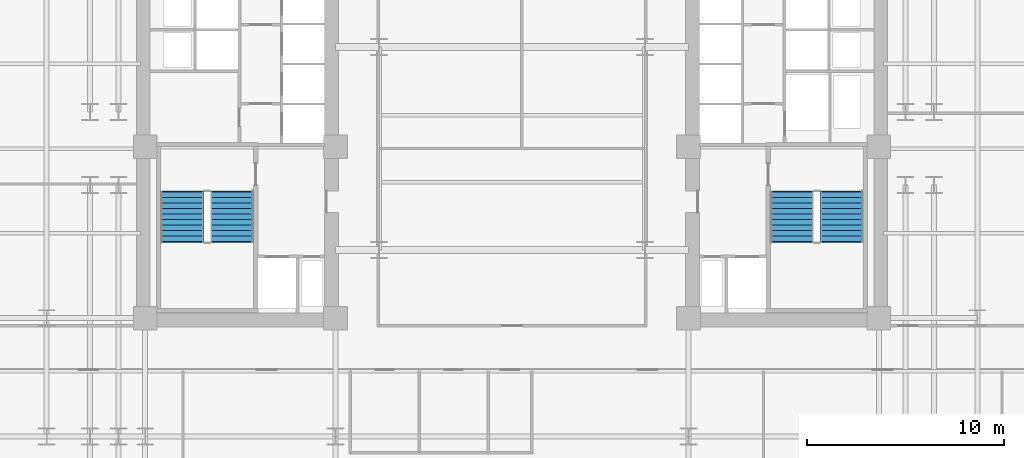
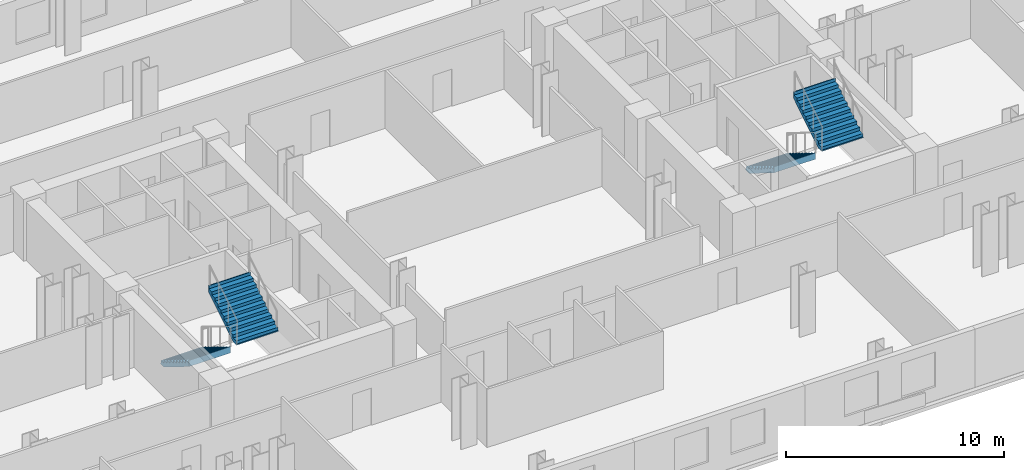
# One storey, part 8 of 10: 4 stair flights, 2 elements without a shape of their own.
"""IFC4 building model written with IfcOpenShell, lengths in metres."""

from ifc_helpers import new_model, si_unit, direction, frame, origin, place, context, subcontext, project, spatial, polyline, outline, extrude, material, layer, layer_set, type_object, element, aggregate, save


model = new_model("IFC4")

# Units and contexts
model_context = context("Model", 3, precision=1e-05, world=origin(), true_north=direction((0.0, 1.0)))
body_context = subcontext(model_context, "Body", "Model", "MODEL_VIEW")
ifc_project = project(units=[si_unit("LENGTHUNIT", "METRE"), si_unit("AREAUNIT", "SQUARE_METRE"), si_unit("VOLUMEUNIT", "CUBIC_METRE"), si_unit("PLANEANGLEUNIT", "RADIAN"), si_unit("MASSUNIT", "GRAM", prefix="KILO")], contexts=[model_context])

# Site, building, storey
site_placement = place(None, origin())
site = spatial("IfcSite", under=ifc_project, at=site_placement, CompositionType="ELEMENT")
building_placement = place(site_placement, origin())
building = spatial("IfcBuilding", under=site, at=building_placement, Name="Velakula Bourse", CompositionType="ELEMENT")
storey_placement = place(building_placement, frame((0.0, 0.0, 51.89990234375)))
storey = spatial("IfcBuildingStorey", under=building, at=storey_placement, Name="L13", CompositionType="ELEMENT", Elevation=51.89990234375)

# Stair, stair flights
ifc_material = material(Name="Concrete M45 (fck 45 MPa)", Category="concrete")
stair_type = type_object("IfcStairType", Name="STR-DOG-390", PredefinedType="HALF_TURN_STAIR", material=ifc_material)
stair_1_placement = place(storey_placement, origin())
stair_1 = element("IfcStair", 1, at=stair_1_placement, inside=storey, type_object=stair_type, Name="L13 West Core Exit Stair ST-W1", PredefinedType="HALF_TURN_STAIR")
ifc_layer = layer(ifc_material, 0.195068359375, Name="Concrete M45 (fck 45 MPa)", Category="concrete")
ifc_layer_set = layer_set([ifc_layer], Name="Concrete M45 (fck 45 MPa)")
stair_flight_type = type_object("IfcStairFlightType", Name="FLT-DOG-390", PredefinedType="STRAIGHT", material=ifc_layer_set)
stair_flight_1_placement = place(storey_placement, frame((-16.720947265625, -2.199951171875, 0.0), z_axis=(0.0, 0.0, 1.0), x_axis=(0.0, -1.0, 0.0)))
stair_flight_1 = element("IfcStairFlight", 2, at=stair_flight_1_placement, type_object=stair_flight_type, Name="ST-W1 flight 1", NumberOfRisers=10, NumberOfTreads=9, PredefinedType="STRAIGHT", RiserHeight=0.1725, TreadLength=0.28, context=body_context, shape_type="SweptSolid", body=[
    extrude(outline(polyline([(-0.044921875, -0.0400390625), (-0.044921875, -0.036865234375), (-0.044921875, -0.033935546875), (-0.044921875, -0.03076171875), (-0.044921875, -0.027587890625), (-0.044921875, -0.024658203125), (-0.044921875, -0.021484375), (-0.044921875, -0.0185546875), (-0.044921875, -0.015380859375), (-0.044921875, -0.01220703125), (-0.044921875, -0.00927734375), (-0.044921875, -0.006103515625), (-0.044921875, -0.003173828125), (-0.044921875, 0.0), (0.0, 0.0), (0.0, 0.172607421875), (0.280029296875, 0.172607421875), (0.280029296875, 0.344970703125), (0.56005859375, 0.344970703125), (0.56005859375, 0.517578125), (0.840087890625, 0.517578125), (0.840087890625, 0.68994140625), (1.1201171875, 0.68994140625), (1.1201171875, 0.862548828125), (1.39990234375, 0.862548828125), (1.39990234375, 1.034912109375), (1.679931640625, 1.034912109375), (1.679931640625, 1.20751953125), (1.9599609375, 1.20751953125), (1.9599609375, 1.3798828125), (2.239990234375, 1.3798828125), (2.239990234375, 1.552490234375), (2.52001953125, 1.552490234375), (2.52001953125, 1.72509765625), (2.56494140625, 1.72509765625), (2.56494140625, 1.7001953125), (2.56494140625, 1.67529296875), (2.56494140625, 1.650390625), (2.56494140625, 1.62548828125), (2.56494140625, 1.6005859375), (2.56494140625, 1.57568359375), (2.56494140625, 1.55078125), (2.56494140625, 1.52587890625), (2.56494140625, 1.5009765625), (2.56494140625, 1.47607421875), (2.56494140625, 1.451171875), (2.56494140625, 1.42626953125), (2.56494140625, 1.4013671875), (2.56494140625, 1.37646484375), (0.285888671875, -0.0400390625), (-0.044921875, -0.0400390625)])), frame((0.0, 1.09912109375, 0.0), z_axis=(0.0, -1.0, 0.0), x_axis=(1.0, 0.0, 0.0)), (0.0, 0.0, 1.0), 2.197998046875),
])
stair_flight_2_placement = place(storey_placement, frame((-14.198974609375, -4.719970703125, 1.72509765625), z_axis=(0.0, 0.0, 1.0), x_axis=(0.0, 1.0, 0.0)))
stair_flight_2 = element("IfcStairFlight", 3, at=stair_flight_2_placement, type_object=stair_flight_type, Name="ST-W1 flight 2", NumberOfRisers=10, NumberOfTreads=9, PredefinedType="STRAIGHT", RiserHeight=0.1725, TreadLength=0.28, context=body_context, shape_type="SweptSolid", body=[
    extrude(outline(polyline([(-0.044921875, -0.0400390625), (-0.044921875, -0.036865234375), (-0.044921875, -0.033935546875), (-0.044921875, -0.03076171875), (-0.044921875, -0.027587890625), (-0.044921875, -0.024658203125), (-0.044921875, -0.021484375), (-0.044921875, -0.0185546875), (-0.044921875, -0.015380859375), (-0.044921875, -0.01220703125), (-0.044921875, -0.00927734375), (-0.044921875, -0.006103515625), (-0.044921875, -0.003173828125), (-0.044921875, 0.0), (0.0, 0.0), (0.0, 0.172607421875), (0.280029296875, 0.172607421875), (0.280029296875, 0.344970703125), (0.56005859375, 0.344970703125), (0.56005859375, 0.517578125), (0.840087890625, 0.517578125), (0.840087890625, 0.68994140625), (1.1201171875, 0.68994140625), (1.1201171875, 0.862548828125), (1.39990234375, 0.862548828125), (1.39990234375, 1.034912109375), (1.679931640625, 1.034912109375), (1.679931640625, 1.20751953125), (1.9599609375, 1.20751953125), (1.9599609375, 1.3798828125), (2.239990234375, 1.3798828125), (2.239990234375, 1.552490234375), (2.52001953125, 1.552490234375), (2.52001953125, 1.72509765625), (2.56494140625, 1.72509765625), (2.56494140625, 1.7001953125), (2.56494140625, 1.67529296875), (2.56494140625, 1.650390625), (2.56494140625, 1.62548828125), (2.56494140625, 1.6005859375), (2.56494140625, 1.57568359375), (2.56494140625, 1.55078125), (2.56494140625, 1.52587890625), (2.56494140625, 1.5009765625), (2.56494140625, 1.47607421875), (2.56494140625, 1.451171875), (2.56494140625, 1.42626953125), (2.56494140625, 1.4013671875), (2.56494140625, 1.37646484375), (0.285888671875, -0.0400390625), (-0.044921875, -0.0400390625)])), frame((0.0, 1.09912109375, 0.0), z_axis=(0.0, -1.0, 0.0), x_axis=(1.0, 0.0, 0.0)), (0.0, 0.0, 1.0), 2.197998046875),
])
aggregate(stair_1, [stair_flight_1, stair_flight_2])

stair_2_placement = place(storey_placement, origin())
stair_2 = element("IfcStair", 4, at=stair_2_placement, inside=storey, type_object=stair_type, Name="L13 East Core Exit Stair ST-E1", PredefinedType="HALF_TURN_STAIR")
stair_flight_3_placement = place(storey_placement, frame((14.198974609375, -2.199951171875, 0.0), z_axis=(0.0, 0.0, 1.0), x_axis=(0.0, -1.0, 0.0)))
stair_flight_3 = element("IfcStairFlight", 5, at=stair_flight_3_placement, type_object=stair_flight_type, Name="ST-E1 flight 1", NumberOfRisers=10, NumberOfTreads=9, PredefinedType="STRAIGHT", RiserHeight=0.1725, TreadLength=0.28, context=body_context, shape_type="SweptSolid", body=[
    extrude(outline(polyline([(-0.044921875, -0.0400390625), (-0.044921875, -0.036865234375), (-0.044921875, -0.033935546875), (-0.044921875, -0.03076171875), (-0.044921875, -0.027587890625), (-0.044921875, -0.024658203125), (-0.044921875, -0.021484375), (-0.044921875, -0.0185546875), (-0.044921875, -0.015380859375), (-0.044921875, -0.01220703125), (-0.044921875, -0.00927734375), (-0.044921875, -0.006103515625), (-0.044921875, -0.003173828125), (-0.044921875, 0.0), (0.0, 0.0), (0.0, 0.172607421875), (0.280029296875, 0.172607421875), (0.280029296875, 0.344970703125), (0.56005859375, 0.344970703125), (0.56005859375, 0.517578125), (0.840087890625, 0.517578125), (0.840087890625, 0.68994140625), (1.1201171875, 0.68994140625), (1.1201171875, 0.862548828125), (1.39990234375, 0.862548828125), (1.39990234375, 1.034912109375), (1.679931640625, 1.034912109375), (1.679931640625, 1.20751953125), (1.9599609375, 1.20751953125), (1.9599609375, 1.3798828125), (2.239990234375, 1.3798828125), (2.239990234375, 1.552490234375), (2.52001953125, 1.552490234375), (2.52001953125, 1.72509765625), (2.56494140625, 1.72509765625), (2.56494140625, 1.7001953125), (2.56494140625, 1.67529296875), (2.56494140625, 1.650390625), (2.56494140625, 1.62548828125), (2.56494140625, 1.6005859375), (2.56494140625, 1.57568359375), (2.56494140625, 1.55078125), (2.56494140625, 1.52587890625), (2.56494140625, 1.5009765625), (2.56494140625, 1.47607421875), (2.56494140625, 1.451171875), (2.56494140625, 1.42626953125), (2.56494140625, 1.4013671875), (2.56494140625, 1.37646484375), (0.285888671875, -0.0400390625), (-0.044921875, -0.0400390625)])), frame((0.0, 1.09912109375, 0.0), z_axis=(0.0, -1.0, 0.0), x_axis=(1.0, 0.0, 0.0)), (0.0, 0.0, 1.0), 2.197998046875),
])
stair_flight_4_placement = place(storey_placement, frame((16.720947265625, -4.719970703125, 1.72509765625), z_axis=(0.0, 0.0, 1.0), x_axis=(0.0, 1.0, 0.0)))
stair_flight_4 = element("IfcStairFlight", 6, at=stair_flight_4_placement, type_object=stair_flight_type, Name="ST-E1 flight 2", NumberOfRisers=10, NumberOfTreads=9, PredefinedType="STRAIGHT", RiserHeight=0.1725, TreadLength=0.28, context=body_context, shape_type="SweptSolid", body=[
    extrude(outline(polyline([(-0.044921875, -0.0400390625), (-0.044921875, -0.036865234375), (-0.044921875, -0.033935546875), (-0.044921875, -0.03076171875), (-0.044921875, -0.027587890625), (-0.044921875, -0.024658203125), (-0.044921875, -0.021484375), (-0.044921875, -0.0185546875), (-0.044921875, -0.015380859375), (-0.044921875, -0.01220703125), (-0.044921875, -0.00927734375), (-0.044921875, -0.006103515625), (-0.044921875, -0.003173828125), (-0.044921875, 0.0), (0.0, 0.0), (0.0, 0.172607421875), (0.280029296875, 0.172607421875), (0.280029296875, 0.344970703125), (0.56005859375, 0.344970703125), (0.56005859375, 0.517578125), (0.840087890625, 0.517578125), (0.840087890625, 0.68994140625), (1.1201171875, 0.68994140625), (1.1201171875, 0.862548828125), (1.39990234375, 0.862548828125), (1.39990234375, 1.034912109375), (1.679931640625, 1.034912109375), (1.679931640625, 1.20751953125), (1.9599609375, 1.20751953125), (1.9599609375, 1.3798828125), (2.239990234375, 1.3798828125), (2.239990234375, 1.552490234375), (2.52001953125, 1.552490234375), (2.52001953125, 1.72509765625), (2.56494140625, 1.72509765625), (2.56494140625, 1.7001953125), (2.56494140625, 1.67529296875), (2.56494140625, 1.650390625), (2.56494140625, 1.62548828125), (2.56494140625, 1.6005859375), (2.56494140625, 1.57568359375), (2.56494140625, 1.55078125), (2.56494140625, 1.52587890625), (2.56494140625, 1.5009765625), (2.56494140625, 1.47607421875), (2.56494140625, 1.451171875), (2.56494140625, 1.42626953125), (2.56494140625, 1.4013671875), (2.56494140625, 1.37646484375), (0.285888671875, -0.0400390625), (-0.044921875, -0.0400390625)])), frame((0.0, 1.09912109375, 0.0), z_axis=(0.0, -1.0, 0.0), x_axis=(1.0, 0.0, 0.0)), (0.0, 0.0, 1.0), 2.197998046875),
])
aggregate(stair_2, [stair_flight_3, stair_flight_4])

save(model, "model.ifc")
